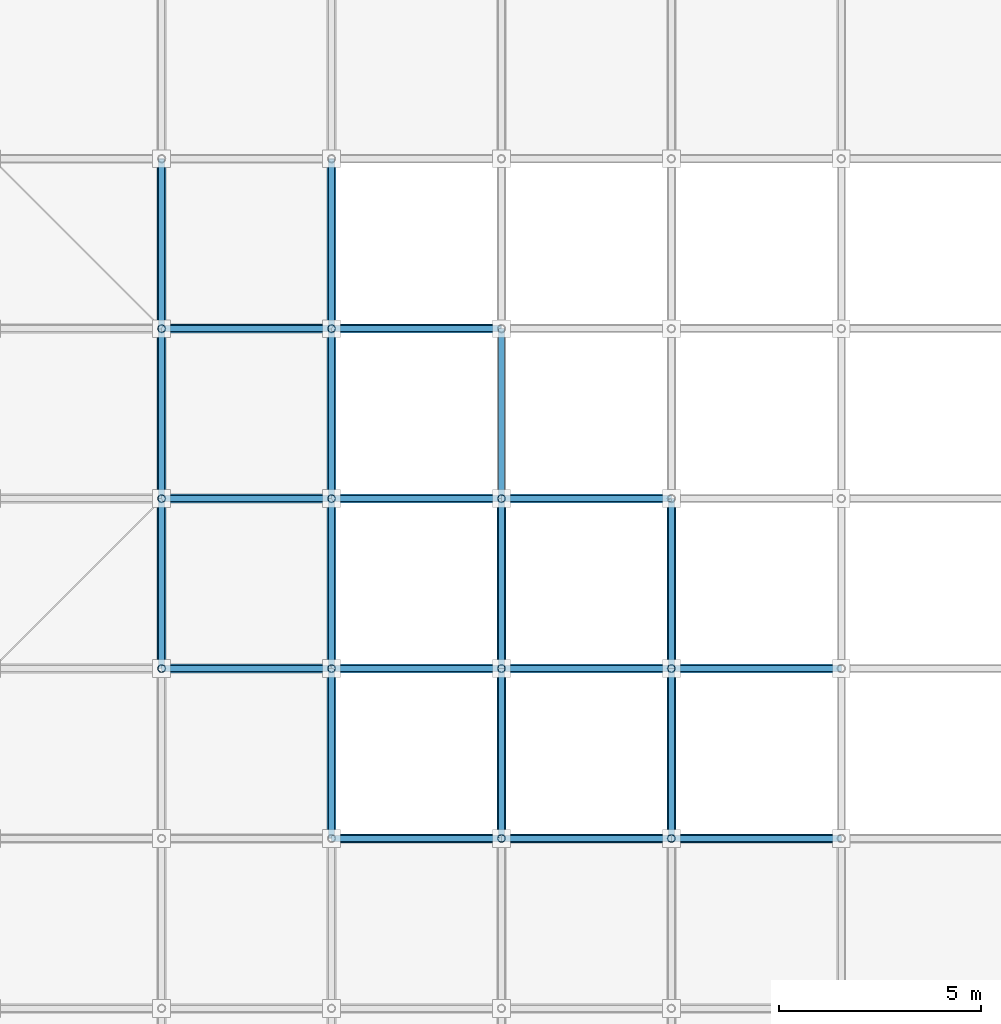
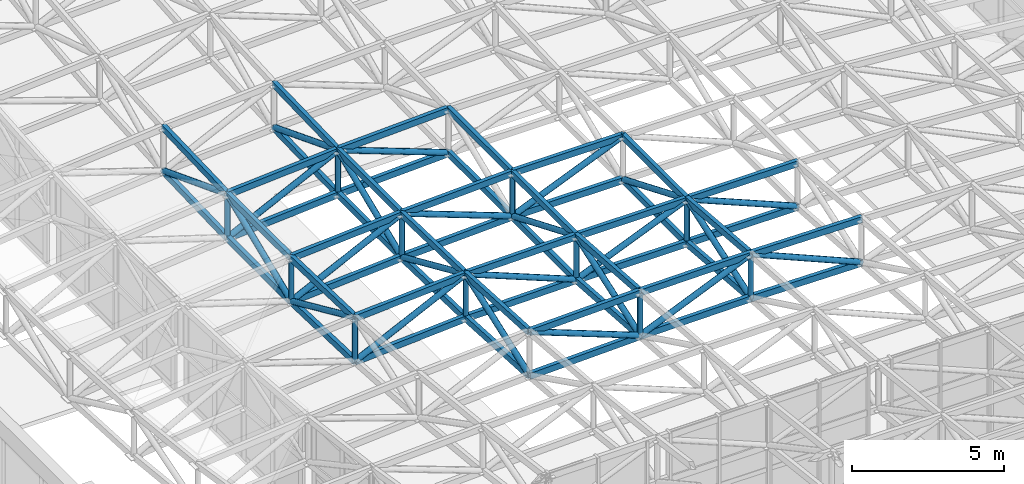
# One storey, part 19 of 132: 82 members.
"""IFC4 building model written with IfcOpenShell, lengths in metres."""

from ifc_helpers import new_model, si_unit, direction, frame, origin, origin_2d, place, context, subcontext, project, spatial, hollow_rectangle, hollow_circle, extrude, material, material_profile, profile_set, type_object, element, save


model = new_model("IFC4")

# Units and contexts
model_context = context("Model", 3, precision=1e-05, world=origin(), true_north=direction((0.0, 1.0)))
body_context = subcontext(model_context, "Body", "Model", "MODEL_VIEW")
ifc_project = project(units=[si_unit("LENGTHUNIT", "METRE"), si_unit("AREAUNIT", "SQUARE_METRE"), si_unit("VOLUMEUNIT", "CUBIC_METRE"), si_unit("PLANEANGLEUNIT", "RADIAN"), si_unit("MASSUNIT", "GRAM", prefix="KILO")], contexts=[model_context])

# Site, building, storey
site_placement = place(None, origin())
site = spatial("IfcSite", under=ifc_project, at=site_placement, CompositionType="ELEMENT")
building_placement = place(site_placement, origin())
building = spatial("IfcBuilding", under=site, at=building_placement, Name="Cumbredor Promenade Congress Hotel", CompositionType="ELEMENT")
storey_placement = place(building_placement, frame((0.0, 0.0, 7.56005859375)))
storey = spatial("IfcBuildingStorey", under=building, at=storey_placement, Name="L02", CompositionType="ELEMENT", Elevation=7.56005859375)

# Members
ifc_material = material(Name="Steel ASTM A500 Grade C", Category="steel")
ifc_material_profile_1 = material_profile(ifc_material, hollow_rectangle(XDim=0.14990234375, YDim=0.25, WallThickness=0.012451171875, at=origin_2d()), Name="HSS 250x150x12.5")
ifc_profile_set_1 = profile_set([ifc_material_profile_1], Name="Steel ASTM A500 Grade C")
member_type_1 = type_object("IfcMemberType", Name="Spa Roof Space Frame Chord", PredefinedType="CHORD", material=ifc_profile_set_1)
for number, where, z_axis, x_axis, name in (
    (1, (84.0, 16.800048828125, 4.68017578125), (0.999502220604, 0.0, 0.031548550008), (0.0, 1.0, 0.0), "Thermal Spa and Hydrotherapy Pavilion X Top Chord 4.5"),
    (2, (84.0, 16.800048828125, 2.93017578125), (0.999502220604, 0.0, 0.031548550008), (0.0, 1.0, 0.0), "Thermal Spa and Hydrotherapy Pavilion X Bottom Chord 4.5"),
):
    element("IfcMember", number, at=place(storey_placement, frame(where, z_axis=z_axis, x_axis=x_axis)), inside=storey, type_object=member_type_1, Name=name, PredefinedType="CHORD", context=body_context, shape_type="SweptSolid", body=[
        extrude(hollow_rectangle(XDim=0.14990234375, YDim=0.25, WallThickness=0.012451171875, at=origin_2d()), origin(), (0.0, 0.0, 1.0), 4.2021484375),
    ])
for number, where, z_axis, x_axis, name in (
    (3, (88.199951171875, 16.800048828125, 4.812744140625), (0.999944654448, 0.0, 0.010520838369), (0.0, 1.0, 0.0), "Thermal Spa and Hydrotherapy Pavilion X Top Chord 5.5"),
    (4, (88.199951171875, 16.800048828125, 3.062744140625), (0.999944654448, 0.0, 0.010520838369), (0.0, 1.0, 0.0), "Thermal Spa and Hydrotherapy Pavilion X Bottom Chord 5.5"),
):
    element("IfcMember", number, at=place(storey_placement, frame(where, z_axis=z_axis, x_axis=x_axis)), inside=storey, type_object=member_type_1, Name=name, PredefinedType="CHORD", context=body_context, shape_type="SweptSolid", body=[
        extrude(hollow_rectangle(XDim=0.14990234375, YDim=0.25, WallThickness=0.012451171875, at=origin_2d()), origin(), (0.0, 0.0, 1.0), 4.2001953125),
    ])
for number, where, z_axis, x_axis, name in (
    (5, (92.39990234375, 16.800048828125, 4.85693359375), (0.999944660882, 0.0, -0.010520226902), (0.0, 1.0, 0.0), "Thermal Spa and Hydrotherapy Pavilion X Top Chord 6.5"),
    (6, (92.39990234375, 16.800048828125, 3.10693359375), (0.999944660882, 0.0, -0.010520226902), (0.0, 1.0, 0.0), "Thermal Spa and Hydrotherapy Pavilion X Bottom Chord 6.5"),
):
    element("IfcMember", number, at=place(storey_placement, frame(where, z_axis=z_axis, x_axis=x_axis)), inside=storey, type_object=member_type_1, Name=name, PredefinedType="CHORD", context=body_context, shape_type="SweptSolid", body=[
        extrude(hollow_rectangle(XDim=0.14990234375, YDim=0.25, WallThickness=0.012451171875, at=origin_2d()), origin(), (0.0, 0.0, 1.0), 4.200439453125),
    ])
for number, where, z_axis, x_axis, name in (
    (7, (79.800048828125, 21.0, 4.17822265625), (0.997906149499, 0.0, 0.064678565174), (0.0, 1.0, 0.0), "Thermal Spa and Hydrotherapy Pavilion X Top Chord 3.6"),
    (8, (79.800048828125, 21.0, 2.42822265625), (0.997906149499, 0.0, 0.064678565174), (0.0, 1.0, 0.0), "Thermal Spa and Hydrotherapy Pavilion X Bottom Chord 3.6"),
):
    element("IfcMember", number, at=place(storey_placement, frame(where, z_axis=z_axis, x_axis=x_axis)), inside=storey, type_object=member_type_1, Name=name, PredefinedType="CHORD", context=body_context, shape_type="SweptSolid", body=[
        extrude(hollow_rectangle(XDim=0.14990234375, YDim=0.25, WallThickness=0.012451171875, at=origin_2d()), origin(), (0.0, 0.0, 1.0), 4.208740234375),
    ])
for number, where, z_axis, x_axis, name in (
    (9, (84.0, 21.0, 4.450439453125), (0.999886685019, 0.0, 0.015053807558), (0.0, 1.0, 0.0), "Thermal Spa and Hydrotherapy Pavilion X Top Chord 4.6"),
    (10, (84.0, 21.0, 2.700439453125), (0.999886685019, 0.0, 0.015053807558), (0.0, 1.0, 0.0), "Thermal Spa and Hydrotherapy Pavilion X Bottom Chord 4.6"),
):
    element("IfcMember", number, at=place(storey_placement, frame(where, z_axis=z_axis, x_axis=x_axis)), inside=storey, type_object=member_type_1, Name=name, PredefinedType="CHORD", context=body_context, shape_type="SweptSolid", body=[
        extrude(hollow_rectangle(XDim=0.14990234375, YDim=0.25, WallThickness=0.012451171875, at=origin_2d()), origin(), (0.0, 0.0, 1.0), 4.200439453125),
    ])
for number, where, z_axis, x_axis, name in (
    (11, (88.199951171875, 21.0, 4.513671875), (1.0, 0.0, 0.0), (0.0, 1.0, 0.0), "Thermal Spa and Hydrotherapy Pavilion X Top Chord 5.6"),
    (12, (88.199951171875, 21.0, 2.763671875), (1.0, 0.0, 0.0), (0.0, 1.0, 0.0), "Thermal Spa and Hydrotherapy Pavilion X Bottom Chord 5.6"),
):
    element("IfcMember", number, at=place(storey_placement, frame(where, z_axis=z_axis, x_axis=x_axis)), inside=storey, type_object=member_type_1, Name=name, PredefinedType="CHORD", context=body_context, shape_type="SweptSolid", body=[
        extrude(hollow_rectangle(XDim=0.14990234375, YDim=0.25, WallThickness=0.012451171875, at=origin_2d()), origin(), (0.0, 0.0, 1.0), 4.199951171875),
    ])
for number, where, z_axis, x_axis, name in (
    (13, (92.39990234375, 21.0, 4.513671875), (1.0, 0.0, 0.0), (0.0, 1.0, 0.0), "Thermal Spa and Hydrotherapy Pavilion X Top Chord 6.6"),
    (14, (92.39990234375, 21.0, 2.763671875), (1.0, 0.0, 0.0), (0.0, 1.0, 0.0), "Thermal Spa and Hydrotherapy Pavilion X Bottom Chord 6.6"),
):
    element("IfcMember", number, at=place(storey_placement, frame(where, z_axis=z_axis, x_axis=x_axis)), inside=storey, type_object=member_type_1, Name=name, PredefinedType="CHORD", context=body_context, shape_type="SweptSolid", body=[
        extrude(hollow_rectangle(XDim=0.14990234375, YDim=0.25, WallThickness=0.012451171875, at=origin_2d()), origin(), (0.0, 0.0, 1.0), 4.2001953125),
    ])
for number, where, z_axis, x_axis, name in (
    (15, (79.800048828125, 25.199951171875, 4.0380859375), (0.997498863978, 0.0, 0.070682503935), (0.0, 1.0, 0.0), "Thermal Spa and Hydrotherapy Pavilion X Top Chord 3.7"),
    (16, (79.800048828125, 25.199951171875, 2.2880859375), (0.997498863978, 0.0, 0.070682503935), (0.0, 1.0, 0.0), "Thermal Spa and Hydrotherapy Pavilion X Bottom Chord 3.7"),
):
    element("IfcMember", number, at=place(storey_placement, frame(where, z_axis=z_axis, x_axis=x_axis)), inside=storey, type_object=member_type_1, Name=name, PredefinedType="CHORD", context=body_context, shape_type="SweptSolid", body=[
        extrude(hollow_rectangle(XDim=0.14990234375, YDim=0.25, WallThickness=0.012451171875, at=origin_2d()), origin(), (0.0, 0.0, 1.0), 4.21044921875),
    ])
for number, where, z_axis, x_axis, name in (
    (17, (84.0, 25.199951171875, 4.335693359375), (0.999098410723, 0.0, 0.04245427764), (0.0, 1.0, 0.0), "Thermal Spa and Hydrotherapy Pavilion X Top Chord 4.7"),
    (18, (84.0, 25.199951171875, 2.585693359375), (0.999098410723, 0.0, 0.04245427764), (0.0, 1.0, 0.0), "Thermal Spa and Hydrotherapy Pavilion X Bottom Chord 4.7"),
):
    element("IfcMember", number, at=place(storey_placement, frame(where, z_axis=z_axis, x_axis=x_axis)), inside=storey, type_object=member_type_1, Name=name, PredefinedType="CHORD", context=body_context, shape_type="SweptSolid", body=[
        extrude(hollow_rectangle(XDim=0.14990234375, YDim=0.25, WallThickness=0.012451171875, at=origin_2d()), origin(), (0.0, 0.0, 1.0), 4.203857421875),
    ])
for number, where, z_axis, x_axis, name in (
    (19, (88.199951171875, 25.199951171875, 4.51416015625), (0.99999999831, 0.0, 5.8129396e-05), (0.0, 1.0, 0.0), "Thermal Spa and Hydrotherapy Pavilion X Top Chord 5.7"),
    (20, (88.199951171875, 25.199951171875, 2.76416015625), (0.99999999831, 0.0, 5.8129396e-05), (0.0, 1.0, 0.0), "Thermal Spa and Hydrotherapy Pavilion X Bottom Chord 5.7"),
):
    element("IfcMember", number, at=place(storey_placement, frame(where, z_axis=z_axis, x_axis=x_axis)), inside=storey, type_object=member_type_1, Name=name, PredefinedType="CHORD", context=body_context, shape_type="SweptSolid", body=[
        extrude(hollow_rectangle(XDim=0.14990234375, YDim=0.25, WallThickness=0.012451171875, at=origin_2d()), origin(), (0.0, 0.0, 1.0), 4.199951171875),
    ])
for number, where, z_axis, x_axis, name in (
    (21, (79.800048828125, 29.39990234375, 4.0380859375), (0.997498863978, 0.0, 0.070682503935), (0.0, 1.0, 0.0), "Thermal Spa and Hydrotherapy Pavilion X Top Chord 3.8"),
    (22, (79.800048828125, 29.39990234375, 2.2880859375), (0.997498863978, 0.0, 0.070682503935), (0.0, 1.0, 0.0), "Thermal Spa and Hydrotherapy Pavilion X Bottom Chord 3.8"),
):
    element("IfcMember", number, at=place(storey_placement, frame(where, z_axis=z_axis, x_axis=x_axis)), inside=storey, type_object=member_type_1, Name=name, PredefinedType="CHORD", context=body_context, shape_type="SweptSolid", body=[
        extrude(hollow_rectangle(XDim=0.14990234375, YDim=0.25, WallThickness=0.012451171875, at=origin_2d()), origin(), (0.0, 0.0, 1.0), 4.21044921875),
    ])
for number, where, z_axis, x_axis, name in (
    (23, (84.0, 29.39990234375, 4.335693359375), (0.999098410723, 0.0, 0.04245427764), (0.0, 1.0, 0.0), "Thermal Spa and Hydrotherapy Pavilion X Top Chord 4.8"),
    (24, (84.0, 29.39990234375, 2.585693359375), (0.999098410723, 0.0, 0.04245427764), (0.0, 1.0, 0.0), "Thermal Spa and Hydrotherapy Pavilion X Bottom Chord 4.8"),
):
    element("IfcMember", number, at=place(storey_placement, frame(where, z_axis=z_axis, x_axis=x_axis)), inside=storey, type_object=member_type_1, Name=name, PredefinedType="CHORD", context=body_context, shape_type="SweptSolid", body=[
        extrude(hollow_rectangle(XDim=0.14990234375, YDim=0.25, WallThickness=0.012451171875, at=origin_2d()), origin(), (0.0, 0.0, 1.0), 4.203857421875),
    ])
for number, where, z_axis, x_axis, name in (
    (25, (79.800048828125, 21.0, 4.17822265625), (0.0, 0.999443810267, -0.033347715346), (-1.0, 0.0, 0.0), "Thermal Spa and Hydrotherapy Pavilion Y Top Chord 3.6"),
    (26, (79.800048828125, 21.0, 2.42822265625), (0.0, 0.999443810267, -0.033347715346), (-1.0, 0.0, 0.0), "Thermal Spa and Hydrotherapy Pavilion Y Bottom Chord 3.6"),
):
    element("IfcMember", number, at=place(storey_placement, frame(where, z_axis=z_axis, x_axis=x_axis)), inside=storey, type_object=member_type_1, Name=name, PredefinedType="CHORD", context=body_context, shape_type="SweptSolid", body=[
        extrude(hollow_rectangle(XDim=0.14990234375, YDim=0.25, WallThickness=0.012451171875, at=origin_2d()), origin(), (0.0, 0.0, 1.0), 4.202392578125),
    ])
for number, where, z_axis, x_axis, name in (
    (27, (79.800048828125, 25.199951171875, 4.0380859375), (0.0, 1.0, 0.0), (-1.0, 0.0, 0.0), "Thermal Spa and Hydrotherapy Pavilion Y Top Chord 3.7"),
    (28, (79.800048828125, 25.199951171875, 2.2880859375), (0.0, 1.0, 0.0), (-1.0, 0.0, 0.0), "Thermal Spa and Hydrotherapy Pavilion Y Bottom Chord 3.7"),
):
    element("IfcMember", number, at=place(storey_placement, frame(where, z_axis=z_axis, x_axis=x_axis)), inside=storey, type_object=member_type_1, Name=name, PredefinedType="CHORD", context=body_context, shape_type="SweptSolid", body=[
        extrude(hollow_rectangle(XDim=0.14990234375, YDim=0.25, WallThickness=0.012451171875, at=origin_2d()), origin(), (0.0, 0.0, 1.0), 4.199951171875),
    ])
for number, where, z_axis, x_axis, name in (
    (29, (79.800048828125, 29.39990234375, 4.0380859375), (0.0, 0.999443874869, 0.033345779131), (-1.0, 0.0, 0.0), "Thermal Spa and Hydrotherapy Pavilion Y Top Chord 3.8"),
    (30, (79.800048828125, 29.39990234375, 2.2880859375), (0.0, 0.999443874869, 0.033345779131), (-1.0, 0.0, 0.0), "Thermal Spa and Hydrotherapy Pavilion Y Bottom Chord 3.8"),
):
    element("IfcMember", number, at=place(storey_placement, frame(where, z_axis=z_axis, x_axis=x_axis)), inside=storey, type_object=member_type_1, Name=name, PredefinedType="CHORD", context=body_context, shape_type="SweptSolid", body=[
        extrude(hollow_rectangle(XDim=0.14990234375, YDim=0.25, WallThickness=0.012451171875, at=origin_2d()), origin(), (0.0, 0.0, 1.0), 4.20263671875),
    ])
for number, where, z_axis, x_axis, name in (
    (31, (84.0, 16.800048828125, 4.68017578125), (0.0, 0.998507316855, -0.054618112257), (-1.0, 0.0, 0.0), "Thermal Spa and Hydrotherapy Pavilion Y Top Chord 4.5"),
    (32, (84.0, 16.800048828125, 2.93017578125), (0.0, 0.998507316855, -0.054618112257), (-1.0, 0.0, 0.0), "Thermal Spa and Hydrotherapy Pavilion Y Bottom Chord 4.5"),
):
    element("IfcMember", number, at=place(storey_placement, frame(where, z_axis=z_axis, x_axis=x_axis)), inside=storey, type_object=member_type_1, Name=name, PredefinedType="CHORD", context=body_context, shape_type="SweptSolid", body=[
        extrude(hollow_rectangle(XDim=0.14990234375, YDim=0.25, WallThickness=0.012451171875, at=origin_2d()), origin(), (0.0, 0.0, 1.0), 4.206298828125),
    ])
for number, where, z_axis, x_axis, name in (
    (33, (84.0, 21.0, 4.450439453125), (0.0, 0.999626995305, -0.027310625344), (-1.0, 0.0, 0.0), "Thermal Spa and Hydrotherapy Pavilion Y Top Chord 4.6"),
    (34, (84.0, 21.0, 2.700439453125), (0.0, 0.999626995305, -0.027310625344), (-1.0, 0.0, 0.0), "Thermal Spa and Hydrotherapy Pavilion Y Bottom Chord 4.6"),
):
    element("IfcMember", number, at=place(storey_placement, frame(where, z_axis=z_axis, x_axis=x_axis)), inside=storey, type_object=member_type_1, Name=name, PredefinedType="CHORD", context=body_context, shape_type="SweptSolid", body=[
        extrude(hollow_rectangle(XDim=0.14990234375, YDim=0.25, WallThickness=0.012451171875, at=origin_2d()), origin(), (0.0, 0.0, 1.0), 4.201416015625),
    ])
for number, where, z_axis, x_axis, name in (
    (35, (84.0, 25.199951171875, 4.335693359375), (0.0, 1.0, 0.0), (-1.0, 0.0, 0.0), "Thermal Spa and Hydrotherapy Pavilion Y Top Chord 4.7"),
    (36, (84.0, 25.199951171875, 2.585693359375), (0.0, 1.0, 0.0), (-1.0, 0.0, 0.0), "Thermal Spa and Hydrotherapy Pavilion Y Bottom Chord 4.7"),
):
    element("IfcMember", number, at=place(storey_placement, frame(where, z_axis=z_axis, x_axis=x_axis)), inside=storey, type_object=member_type_1, Name=name, PredefinedType="CHORD", context=body_context, shape_type="SweptSolid", body=[
        extrude(hollow_rectangle(XDim=0.14990234375, YDim=0.25, WallThickness=0.012451171875, at=origin_2d()), origin(), (0.0, 0.0, 1.0), 4.199951171875),
    ])
for number, where, z_axis, x_axis, name in (
    (37, (84.0, 29.39990234375, 4.335693359375), (0.0, 0.999627038642, 0.02730903907), (-1.0, 0.0, 0.0), "Thermal Spa and Hydrotherapy Pavilion Y Top Chord 4.8"),
    (38, (84.0, 29.39990234375, 2.585693359375), (0.0, 0.999627038642, 0.02730903907), (-1.0, 0.0, 0.0), "Thermal Spa and Hydrotherapy Pavilion Y Bottom Chord 4.8"),
):
    element("IfcMember", number, at=place(storey_placement, frame(where, z_axis=z_axis, x_axis=x_axis)), inside=storey, type_object=member_type_1, Name=name, PredefinedType="CHORD", context=body_context, shape_type="SweptSolid", body=[
        extrude(hollow_rectangle(XDim=0.14990234375, YDim=0.25, WallThickness=0.012451171875, at=origin_2d()), origin(), (0.0, 0.0, 1.0), 4.20166015625),
    ])
for number, where, z_axis, x_axis, name in (
    (39, (88.199951171875, 16.800048828125, 4.812744140625), (0.0, 0.997474275296, -0.07102865705), (-1.0, 0.0, 0.0), "Thermal Spa and Hydrotherapy Pavilion Y Top Chord 5.5"),
    (40, (88.199951171875, 16.800048828125, 3.062744140625), (0.0, 0.997474275296, -0.07102865705), (-1.0, 0.0, 0.0), "Thermal Spa and Hydrotherapy Pavilion Y Bottom Chord 5.5"),
):
    element("IfcMember", number, at=place(storey_placement, frame(where, z_axis=z_axis, x_axis=x_axis)), inside=storey, type_object=member_type_1, Name=name, PredefinedType="CHORD", context=body_context, shape_type="SweptSolid", body=[
        extrude(hollow_rectangle(XDim=0.14990234375, YDim=0.25, WallThickness=0.012451171875, at=origin_2d()), origin(), (0.0, 0.0, 1.0), 4.210693359375),
    ])
for number, where, z_axis, x_axis, name in (
    (41, (88.199951171875, 21.0, 4.513671875), (0.0, 0.999999993242, 0.000116258791), (-1.0, 0.0, 0.0), "Thermal Spa and Hydrotherapy Pavilion Y Top Chord 5.6"),
    (42, (88.199951171875, 21.0, 2.763671875), (0.0, 0.999999993242, 0.000116258791), (-1.0, 0.0, 0.0), "Thermal Spa and Hydrotherapy Pavilion Y Bottom Chord 5.6"),
    (43, (88.199951171875, 25.199951171875, 4.51416015625), (0.0, 1.0, 0.0), (-1.0, 0.0, 0.0), "Thermal Spa and Hydrotherapy Pavilion Y Top Chord 5.7"),
    (44, (88.199951171875, 25.199951171875, 2.76416015625), (0.0, 1.0, 0.0), (-1.0, 0.0, 0.0), "Thermal Spa and Hydrotherapy Pavilion Y Bottom Chord 5.7"),
):
    element("IfcMember", number, at=place(storey_placement, frame(where, z_axis=z_axis, x_axis=x_axis)), inside=storey, type_object=member_type_1, Name=name, PredefinedType="CHORD", context=body_context, shape_type="SweptSolid", body=[
        extrude(hollow_rectangle(XDim=0.14990234375, YDim=0.25, WallThickness=0.012451171875, at=origin_2d()), origin(), (0.0, 0.0, 1.0), 4.199951171875),
    ])
for number, where, z_axis, x_axis, name in (
    (45, (92.39990234375, 16.800048828125, 4.85693359375), (0.0, 0.99667674891, -0.081458321744), (-1.0, 0.0, 0.0), "Thermal Spa and Hydrotherapy Pavilion Y Top Chord 6.5"),
    (46, (92.39990234375, 16.800048828125, 3.10693359375), (0.0, 0.99667674891, -0.081458321744), (-1.0, 0.0, 0.0), "Thermal Spa and Hydrotherapy Pavilion Y Bottom Chord 6.5"),
):
    element("IfcMember", number, at=place(storey_placement, frame(where, z_axis=z_axis, x_axis=x_axis)), inside=storey, type_object=member_type_1, Name=name, PredefinedType="CHORD", context=body_context, shape_type="SweptSolid", body=[
        extrude(hollow_rectangle(XDim=0.14990234375, YDim=0.25, WallThickness=0.012451171875, at=origin_2d()), origin(), (0.0, 0.0, 1.0), 4.2138671875),
    ])
for number, where, z_axis, x_axis, name in (
    (47, (92.39990234375, 21.0, 4.513671875), (0.0, 0.999999984794, 0.000174388185), (-1.0, 0.0, 0.0), "Thermal Spa and Hydrotherapy Pavilion Y Top Chord 6.6"),
    (48, (92.39990234375, 21.0, 2.763671875), (0.0, 0.999999984794, 0.000174388185), (-1.0, 0.0, 0.0), "Thermal Spa and Hydrotherapy Pavilion Y Bottom Chord 6.6"),
):
    element("IfcMember", number, at=place(storey_placement, frame(where, z_axis=z_axis, x_axis=x_axis)), inside=storey, type_object=member_type_1, Name=name, PredefinedType="CHORD", context=body_context, shape_type="SweptSolid", body=[
        extrude(hollow_rectangle(XDim=0.14990234375, YDim=0.25, WallThickness=0.012451171875, at=origin_2d()), origin(), (0.0, 0.0, 1.0), 4.199951171875),
    ])
ifc_material_profile_2 = material_profile(ifc_material, hollow_circle(Radius=0.109619140625, WallThickness=0.012451171875, at=origin_2d()), Name="CHS 219.1x12.5")
ifc_profile_set_2 = profile_set([ifc_material_profile_2], Name="Steel ASTM A500 Grade C")
member_type_2 = type_object("IfcMemberType", Name="Space Frame Web Diagonal D1", PredefinedType="BRACE", material=ifc_profile_set_2)
member_1_placement = place(storey_placement, frame((84.0, 16.800048828125, 4.68017578125), z_axis=(0.93319173071, 0.0, -0.359378899957), x_axis=(0.0, 1.0, 0.0)))
element("IfcMember", 49, at=member_1_placement, inside=storey, type_object=member_type_2, Name="Thermal Spa and Hydrotherapy Pavilion X Web Diagonal 4.5", PredefinedType="BRACE", context=body_context, shape_type="SweptSolid", body=[
    extrude(hollow_circle(Radius=0.109619140625, WallThickness=0.012451171875, at=origin_2d()), origin(), (0.0, 0.0, 1.0), 4.500732421875),
])
member_2_placement = place(storey_placement, frame((88.199951171875, 16.800048828125, 3.062744140625), z_axis=(0.919603390276, 0.0, 0.392848068078), x_axis=(0.0, 1.0, 0.0)))
element("IfcMember", 50, at=member_2_placement, inside=storey, type_object=member_type_2, Name="Thermal Spa and Hydrotherapy Pavilion X Web Diagonal 5.5", PredefinedType="BRACE", context=body_context, shape_type="SweptSolid", body=[
    extrude(hollow_circle(Radius=0.109619140625, WallThickness=0.012451171875, at=origin_2d()), origin(), (0.0, 0.0, 1.0), 4.567138671875),
])
member_3_placement = place(storey_placement, frame((92.39990234375, 16.800048828125, 4.85693359375), z_axis=(0.91961163951, 0.0, -0.392828757194), x_axis=(0.0, 1.0, 0.0)))
element("IfcMember", 51, at=member_3_placement, inside=storey, type_object=member_type_2, Name="Thermal Spa and Hydrotherapy Pavilion X Web Diagonal 6.5", PredefinedType="BRACE", context=body_context, shape_type="SweptSolid", body=[
    extrude(hollow_circle(Radius=0.109619140625, WallThickness=0.012451171875, at=origin_2d()), origin(), (0.0, 0.0, 1.0), 4.5673828125),
])
member_4_placement = place(storey_placement, frame((79.800048828125, 21.0, 2.42822265625), z_axis=(0.90100015334, 0.0, 0.433818768245), x_axis=(0.0, 1.0, 0.0)))
element("IfcMember", 52, at=member_4_placement, inside=storey, type_object=member_type_2, Name="Thermal Spa and Hydrotherapy Pavilion X Web Diagonal 3.6", PredefinedType="BRACE", context=body_context, shape_type="SweptSolid", body=[
    extrude(hollow_circle(Radius=0.109619140625, WallThickness=0.012451171875, at=origin_2d()), origin(), (0.0, 0.0, 1.0), 4.661376953125),
])
member_5_placement = place(storey_placement, frame((84.0, 21.0, 4.450439453125), z_axis=(0.927958694838, 0.0, -0.372683056597), x_axis=(0.0, 1.0, 0.0)))
element("IfcMember", 53, at=member_5_placement, inside=storey, type_object=member_type_2, Name="Thermal Spa and Hydrotherapy Pavilion X Web Diagonal 4.6", PredefinedType="BRACE", context=body_context, shape_type="SweptSolid", body=[
    extrude(hollow_circle(Radius=0.109619140625, WallThickness=0.012451171875, at=origin_2d()), origin(), (0.0, 0.0, 1.0), 4.526123046875),
])
member_6_placement = place(storey_placement, frame((88.199951171875, 21.0, 2.763671875), z_axis=(0.92307533556, 0.0, 0.384619194634), x_axis=(0.0, 1.0, 0.0)))
element("IfcMember", 54, at=member_6_placement, inside=storey, type_object=member_type_2, Name="Thermal Spa and Hydrotherapy Pavilion X Web Diagonal 5.6", PredefinedType="BRACE", context=body_context, shape_type="SweptSolid", body=[
    extrude(hollow_circle(Radius=0.109619140625, WallThickness=0.012451171875, at=origin_2d()), origin(), (0.0, 0.0, 1.0), 4.550048828125),
])
member_7_placement = place(storey_placement, frame((92.39990234375, 21.0, 4.513671875), z_axis=(0.923083272674, 0.0, -0.384600145229), x_axis=(0.0, 1.0, 0.0)))
element("IfcMember", 55, at=member_7_placement, inside=storey, type_object=member_type_2, Name="Thermal Spa and Hydrotherapy Pavilion X Web Diagonal 6.6", PredefinedType="BRACE", context=body_context, shape_type="SweptSolid", body=[
    extrude(hollow_circle(Radius=0.109619140625, WallThickness=0.012451171875, at=origin_2d()), origin(), (0.0, 0.0, 1.0), 4.55029296875),
])
member_8_placement = place(storey_placement, frame((79.800048828125, 25.199951171875, 2.2880859375), z_axis=(0.898865341957, 0.0, 0.438224938848), x_axis=(0.0, 1.0, 0.0)))
element("IfcMember", 56, at=member_8_placement, inside=storey, type_object=member_type_2, Name="Thermal Spa and Hydrotherapy Pavilion X Web Diagonal 3.7", PredefinedType="BRACE", context=body_context, shape_type="SweptSolid", body=[
    extrude(hollow_circle(Radius=0.109619140625, WallThickness=0.012451171875, at=origin_2d()), origin(), (0.0, 0.0, 1.0), 4.672607421875),
])
member_9_placement = place(storey_placement, frame((84.0, 25.199951171875, 4.335693359375), z_axis=(0.93658175887, 0.0, -0.350449153162), x_axis=(0.0, 1.0, 0.0)))
element("IfcMember", 57, at=member_9_placement, inside=storey, type_object=member_type_2, Name="Thermal Spa and Hydrotherapy Pavilion X Web Diagonal 4.7", PredefinedType="BRACE", context=body_context, shape_type="SweptSolid", body=[
    extrude(hollow_circle(Radius=0.109619140625, WallThickness=0.012451171875, at=origin_2d()), origin(), (0.0, 0.0, 1.0), 4.484375),
])
member_10_placement = place(storey_placement, frame((88.199951171875, 25.199951171875, 2.76416015625), z_axis=(0.923056284554, 0.0, 0.384664913327), x_axis=(0.0, 1.0, 0.0)))
element("IfcMember", 58, at=member_10_placement, inside=storey, type_object=member_type_2, Name="Thermal Spa and Hydrotherapy Pavilion X Web Diagonal 5.7", PredefinedType="BRACE", context=body_context, shape_type="SweptSolid", body=[
    extrude(hollow_circle(Radius=0.109619140625, WallThickness=0.012451171875, at=origin_2d()), origin(), (0.0, 0.0, 1.0), 4.550048828125),
])
member_11_placement = place(storey_placement, frame((79.800048828125, 29.39990234375, 2.2880859375), z_axis=(0.898865341957, 0.0, 0.438224938848), x_axis=(0.0, 1.0, 0.0)))
element("IfcMember", 59, at=member_11_placement, inside=storey, type_object=member_type_2, Name="Thermal Spa and Hydrotherapy Pavilion X Web Diagonal 3.8", PredefinedType="BRACE", context=body_context, shape_type="SweptSolid", body=[
    extrude(hollow_circle(Radius=0.109619140625, WallThickness=0.012451171875, at=origin_2d()), origin(), (0.0, 0.0, 1.0), 4.672607421875),
])
member_12_placement = place(storey_placement, frame((84.0, 29.39990234375, 4.335693359375), z_axis=(0.93658175887, 0.0, -0.350449153162), x_axis=(0.0, 1.0, 0.0)))
element("IfcMember", 60, at=member_12_placement, inside=storey, type_object=member_type_2, Name="Thermal Spa and Hydrotherapy Pavilion X Web Diagonal 4.8", PredefinedType="BRACE", context=body_context, shape_type="SweptSolid", body=[
    extrude(hollow_circle(Radius=0.109619140625, WallThickness=0.012451171875, at=origin_2d()), origin(), (0.0, 0.0, 1.0), 4.484375),
])
member_13_placement = place(storey_placement, frame((79.800048828125, 21.0, 4.17822265625), z_axis=(0.0, 0.911908610718, -0.410393330476), x_axis=(-1.0, 0.0, 0.0)))
element("IfcMember", 61, at=member_13_placement, inside=storey, type_object=member_type_2, Name="Thermal Spa and Hydrotherapy Pavilion Y Web Diagonal 3.6", PredefinedType="BRACE", context=body_context, shape_type="SweptSolid", body=[
    extrude(hollow_circle(Radius=0.109619140625, WallThickness=0.012451171875, at=origin_2d()), origin(), (0.0, 0.0, 1.0), 4.605712890625),
])
member_14_placement = place(storey_placement, frame((79.800048828125, 25.199951171875, 2.2880859375), z_axis=(0.0, 0.92307533556, 0.384619194634), x_axis=(-1.0, 0.0, 0.0)))
element("IfcMember", 62, at=member_14_placement, inside=storey, type_object=member_type_2, Name="Thermal Spa and Hydrotherapy Pavilion Y Web Diagonal 3.7", PredefinedType="BRACE", context=body_context, shape_type="SweptSolid", body=[
    extrude(hollow_circle(Radius=0.109619140625, WallThickness=0.012451171875, at=origin_2d()), origin(), (0.0, 0.0, 1.0), 4.550048828125),
])
member_15_placement = place(storey_placement, frame((79.800048828125, 29.39990234375, 4.0380859375), z_axis=(0.0, 0.933761837865, -0.357894998773), x_axis=(-1.0, 0.0, 0.0)))
element("IfcMember", 63, at=member_15_placement, inside=storey, type_object=member_type_2, Name="Thermal Spa and Hydrotherapy Pavilion Y Web Diagonal 3.8", PredefinedType="BRACE", context=body_context, shape_type="SweptSolid", body=[
    extrude(hollow_circle(Radius=0.109619140625, WallThickness=0.012451171875, at=origin_2d()), origin(), (0.0, 0.0, 1.0), 4.498046875),
])
member_16_placement = place(storey_placement, frame((84.0, 16.800048828125, 2.93017578125), z_axis=(0.0, 0.940295107968, 0.340360264914), x_axis=(-1.0, 0.0, 0.0)))
element("IfcMember", 64, at=member_16_placement, inside=storey, type_object=member_type_2, Name="Thermal Spa and Hydrotherapy Pavilion Y Web Diagonal 4.5", PredefinedType="BRACE", context=body_context, shape_type="SweptSolid", body=[
    extrude(hollow_circle(Radius=0.109619140625, WallThickness=0.012451171875, at=origin_2d()), origin(), (0.0, 0.0, 1.0), 4.466552734375),
])
member_17_placement = place(storey_placement, frame((84.0, 21.0, 4.450439453125), z_axis=(0.0, 0.913964843295, -0.405793377497), x_axis=(-1.0, 0.0, 0.0)))
element("IfcMember", 65, at=member_17_placement, inside=storey, type_object=member_type_2, Name="Thermal Spa and Hydrotherapy Pavilion Y Web Diagonal 4.6", PredefinedType="BRACE", context=body_context, shape_type="SweptSolid", body=[
    extrude(hollow_circle(Radius=0.109619140625, WallThickness=0.012451171875, at=origin_2d()), origin(), (0.0, 0.0, 1.0), 4.59521484375),
])
member_18_placement = place(storey_placement, frame((84.0, 25.199951171875, 2.585693359375), z_axis=(0.0, 0.92307533556, 0.384619194634), x_axis=(-1.0, 0.0, 0.0)))
element("IfcMember", 66, at=member_18_placement, inside=storey, type_object=member_type_2, Name="Thermal Spa and Hydrotherapy Pavilion Y Web Diagonal 4.7", PredefinedType="BRACE", context=body_context, shape_type="SweptSolid", body=[
    extrude(hollow_circle(Radius=0.109619140625, WallThickness=0.012451171875, at=origin_2d()), origin(), (0.0, 0.0, 1.0), 4.550048828125),
])
member_19_placement = place(storey_placement, frame((84.0, 29.39990234375, 4.335693359375), z_axis=(0.0, 0.931866357827, -0.362801724292), x_axis=(-1.0, 0.0, 0.0)))
element("IfcMember", 67, at=member_19_placement, inside=storey, type_object=member_type_2, Name="Thermal Spa and Hydrotherapy Pavilion Y Web Diagonal 4.8", PredefinedType="BRACE", context=body_context, shape_type="SweptSolid", body=[
    extrude(hollow_circle(Radius=0.109619140625, WallThickness=0.012451171875, at=origin_2d()), origin(), (0.0, 0.0, 1.0), 4.50732421875),
])
member_20_placement = place(storey_placement, frame((88.199951171875, 16.800048828125, 3.062744140625), z_axis=(0.0, 0.945187739001, 0.326527392483), x_axis=(-1.0, 0.0, 0.0)))
element("IfcMember", 68, at=member_20_placement, inside=storey, type_object=member_type_2, Name="Thermal Spa and Hydrotherapy Pavilion Y Web Diagonal 5.5", PredefinedType="BRACE", context=body_context, shape_type="SweptSolid", body=[
    extrude(hollow_circle(Radius=0.109619140625, WallThickness=0.012451171875, at=origin_2d()), origin(), (0.0, 0.0, 1.0), 4.443603515625),
])
member_21_placement = place(storey_placement, frame((88.199951171875, 21.0, 4.513671875), z_axis=(0.0, 0.923113433136, -0.384527748756), x_axis=(-1.0, 0.0, 0.0)))
element("IfcMember", 69, at=member_21_placement, inside=storey, type_object=member_type_2, Name="Thermal Spa and Hydrotherapy Pavilion Y Web Diagonal 5.6", PredefinedType="BRACE", context=body_context, shape_type="SweptSolid", body=[
    extrude(hollow_circle(Radius=0.109619140625, WallThickness=0.012451171875, at=origin_2d()), origin(), (0.0, 0.0, 1.0), 4.5498046875),
])
member_22_placement = place(storey_placement, frame((92.39990234375, 16.800048828125, 3.10693359375), z_axis=(0.0, 0.948224811445, 0.3175999165), x_axis=(-1.0, 0.0, 0.0)))
element("IfcMember", 70, at=member_22_placement, inside=storey, type_object=member_type_2, Name="Thermal Spa and Hydrotherapy Pavilion Y Web Diagonal 6.5", PredefinedType="BRACE", context=body_context, shape_type="SweptSolid", body=[
    extrude(hollow_circle(Radius=0.109619140625, WallThickness=0.012451171875, at=origin_2d()), origin(), (0.0, 0.0, 1.0), 4.42919921875),
])
member_23_placement = place(storey_placement, frame((92.39990234375, 21.0, 4.513671875), z_axis=(0.0, 0.923132479706, -0.384482021571), x_axis=(-1.0, 0.0, 0.0)))
element("IfcMember", 71, at=member_23_placement, inside=storey, type_object=member_type_2, Name="Thermal Spa and Hydrotherapy Pavilion Y Web Diagonal 6.6", PredefinedType="BRACE", context=body_context, shape_type="SweptSolid", body=[
    extrude(hollow_circle(Radius=0.109619140625, WallThickness=0.012451171875, at=origin_2d()), origin(), (0.0, 0.0, 1.0), 4.549560546875),
])
ifc_material_profile_3 = material_profile(ifc_material, hollow_circle(Radius=0.096923828125, WallThickness=0.010009765625, at=origin_2d()), Name="CHS 193.7x10")
ifc_profile_set_3 = profile_set([ifc_material_profile_3], Name="Steel ASTM A500 Grade C")
member_type_3 = type_object("IfcMemberType", Name="Space Frame Web Post P1", PredefinedType="BRACE", material=ifc_profile_set_3)
for number, where, z_axis, x_axis, name in (
    (72, (79.800048828125, 21.0, 2.42822265625), (0.0, 0.0, 1.0), (1.0, 0.0, 0.0), "Thermal Spa and Hydrotherapy Pavilion Space Frame Web Post 3.6"),
    (73, (79.800048828125, 25.199951171875, 2.2880859375), (0.0, 0.0, 1.0), (1.0, 0.0, 0.0), "Thermal Spa and Hydrotherapy Pavilion Space Frame Web Post 3.7"),
    (74, (79.800048828125, 29.39990234375, 2.2880859375), (0.0, 0.0, 1.0), (1.0, 0.0, 0.0), "Thermal Spa and Hydrotherapy Pavilion Space Frame Web Post 3.8"),
    (75, (84.0, 21.0, 2.700439453125), (0.0, 0.0, 1.0), (1.0, 0.0, 0.0), "Thermal Spa and Hydrotherapy Pavilion Space Frame Web Post 4.6"),
    (76, (84.0, 25.199951171875, 2.585693359375), (0.0, 0.0, 1.0), (1.0, 0.0, 0.0), "Thermal Spa and Hydrotherapy Pavilion Space Frame Web Post 4.7"),
    (77, (84.0, 29.39990234375, 2.585693359375), (0.0, 0.0, 1.0), (1.0, 0.0, 0.0), "Thermal Spa and Hydrotherapy Pavilion Space Frame Web Post 4.8"),
    (78, (88.199951171875, 16.800048828125, 3.062744140625), (0.0, 0.0, 1.0), (1.0, 0.0, 0.0), "Thermal Spa and Hydrotherapy Pavilion Space Frame Web Post 5.5"),
    (79, (88.199951171875, 21.0, 2.763671875), (0.0, 0.0, 1.0), (1.0, 0.0, 0.0), "Thermal Spa and Hydrotherapy Pavilion Space Frame Web Post 5.6"),
    (80, (88.199951171875, 25.199951171875, 2.76416015625), (0.0, 0.0, 1.0), (1.0, 0.0, 0.0), "Thermal Spa and Hydrotherapy Pavilion Space Frame Web Post 5.7"),
    (81, (92.39990234375, 16.800048828125, 3.10693359375), (0.0, 0.0, 1.0), (1.0, 0.0, 0.0), "Thermal Spa and Hydrotherapy Pavilion Space Frame Web Post 6.5"),
    (82, (92.39990234375, 21.0, 2.763671875), (0.0, 0.0, 1.0), (1.0, 0.0, 0.0), "Thermal Spa and Hydrotherapy Pavilion Space Frame Web Post 6.6"),
):
    element("IfcMember", number, at=place(storey_placement, frame(where, z_axis=z_axis, x_axis=x_axis)), inside=storey, type_object=member_type_3, Name=name, PredefinedType="BRACE", context=body_context, shape_type="SweptSolid", body=[
        extrude(hollow_circle(Radius=0.096923828125, WallThickness=0.010009765625, at=origin_2d()), origin(), (0.0, 0.0, 1.0), 1.75),
    ])

save(model, "model.ifc")
